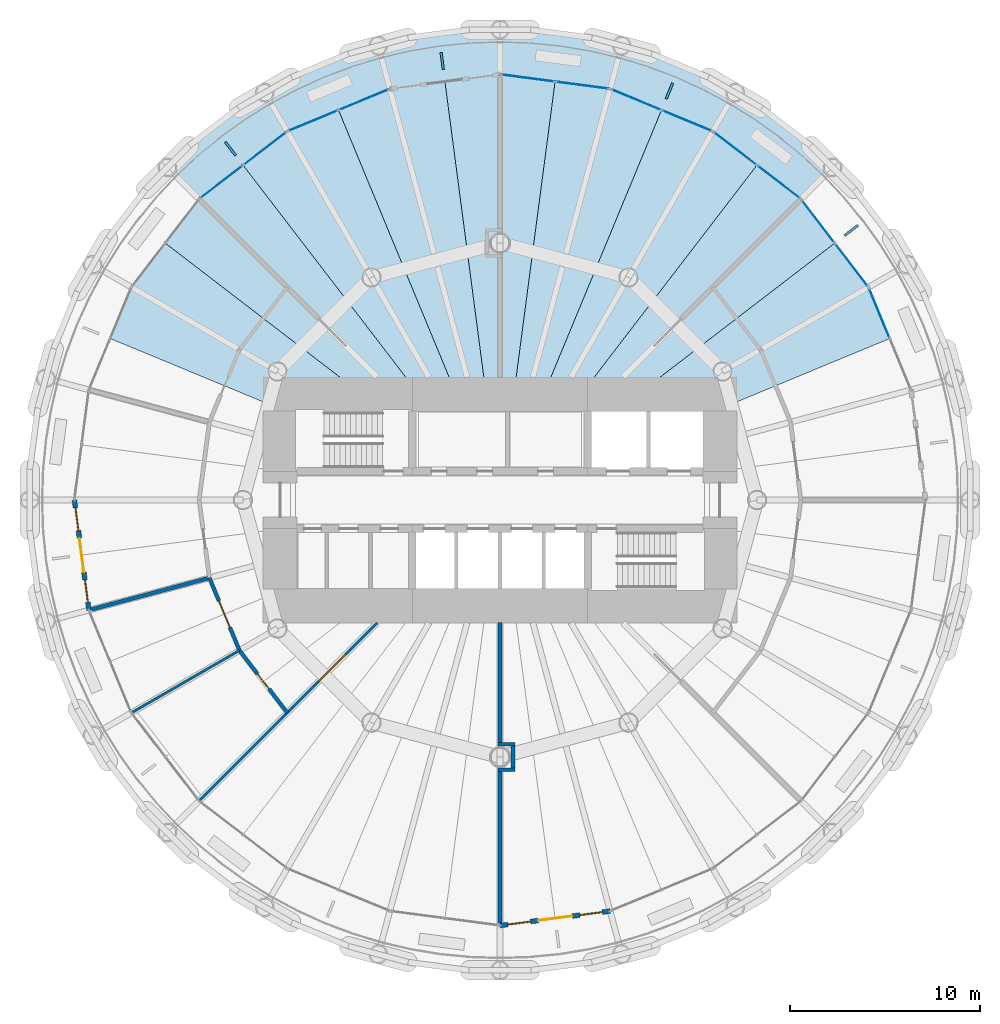
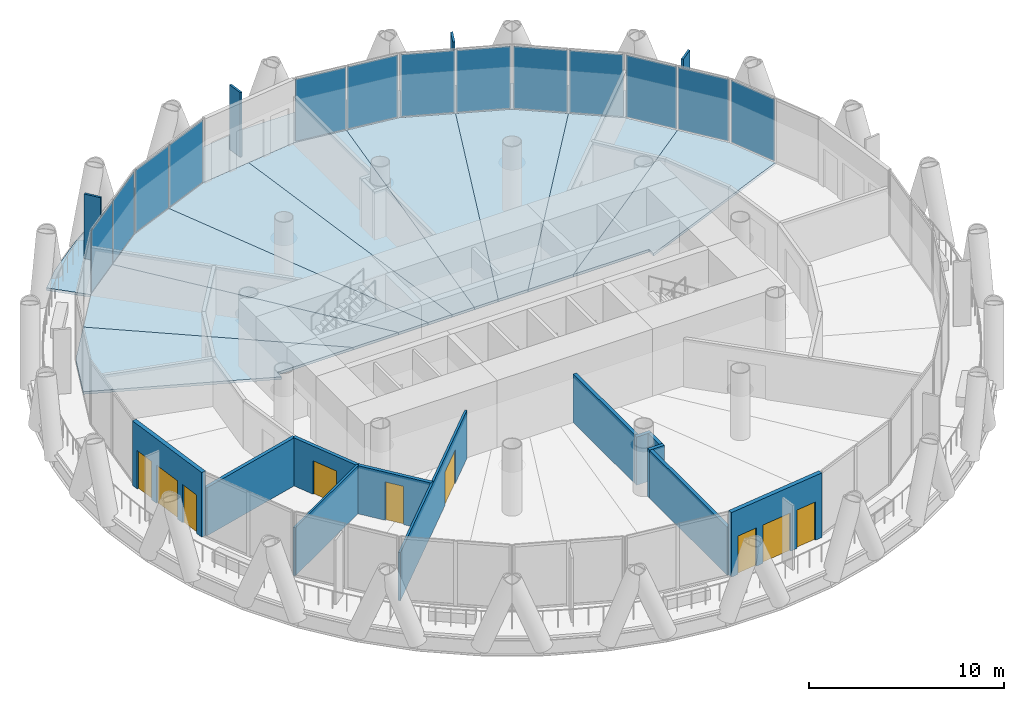
# One storey, part 9 of 15: 17 plates, 12 walls, 10 slabs, 5 doors, 4 windows, 9 openings, 7 elements without a shape of their own.
"""IFC4 building model written with IfcOpenShell, lengths in metres."""

from ifc_helpers import new_model, si_unit, direction, frame, frame_2d, origin, origin_2d, place, context, subcontext, project, spatial, polyline, rectangle, outline, extrude, material, layer, layer_set, type_object, element, fill, aggregate, save


model = new_model("IFC4")

# Units and contexts
model_context = context("Model", 3, precision=1e-05, world=origin(), true_north=direction((0.0, 1.0)))
body_context = subcontext(model_context, "Body", "Model", "MODEL_VIEW")
ifc_project = project(units=[si_unit("LENGTHUNIT", "METRE"), si_unit("AREAUNIT", "SQUARE_METRE"), si_unit("VOLUMEUNIT", "CUBIC_METRE"), si_unit("PLANEANGLEUNIT", "RADIAN"), si_unit("MASSUNIT", "GRAM", prefix="KILO")], contexts=[model_context])

# Site, building, storey
site_placement = place(None, origin())
site = spatial("IfcSite", under=ifc_project, at=site_placement, CompositionType="ELEMENT")
building_placement = place(site_placement, origin())
building = spatial("IfcBuilding", under=site, at=building_placement, Name="Qaws Media Tower", CompositionType="ELEMENT")
storey_placement = place(building_placement, frame((0.0, 0.0, 156.199951171875)))
storey = spatial("IfcBuildingStorey", under=building, at=storey_placement, Name="L35", CompositionType="ELEMENT", Elevation=156.199951171875)

# Slabs
ifc_material_1 = material(Name="Concrete C35/45", Category="concrete")
ifc_layer_1 = layer(ifc_material_1, 0.159912109375)
ifc_layer_set_1 = layer_set([ifc_layer_1], Name="Composite balcony slab 160")
slab_type_1 = type_object("IfcSlabType", Name="Composite balcony slab 160", PredefinedType="FLOOR", material=ifc_layer_set_1)
slab_1_placement = place(storey_placement, frame((0.0, 0.0, -0.159912109375)))
element("IfcSlab", 1, at=slab_1_placement, inside=storey, type_object=slab_type_1, Name="S2 balcony slab L35 R04 to R10, movement joints on R04 and R10", PredefinedType="FLOOR", context=body_context, shape_type="SweptSolid", body=[
    extrude(outline(polyline([(43.68115234375, 68.60791015625), (46.24951171875, 70.578857421875), (49.053466796875, 72.197509765625), (52.04443359375, 73.4365234375), (55.17138671875, 74.2744140625), (58.38134765625, 74.697021484375), (61.61865234375, 74.697021484375), (64.82861328125, 74.2744140625), (67.95556640625, 73.4365234375), (70.946533203125, 72.197509765625), (73.75048828125, 70.578857421875), (76.31884765625, 68.60791015625), (77.46337890625, 67.46337890625), (75.8037109375, 65.8037109375), (71.175048828125, 69.355712890625), (65.78466796875, 71.58837890625), (60.0, 72.35009765625), (54.21533203125, 71.58837890625), (48.824951171875, 69.355712890625), (44.1962890625, 65.8037109375), (42.53662109375, 67.46337890625), (43.68115234375, 68.60791015625)])), origin(), (0.0, 0.0, 1.0), 0.159912109375),
])
ifc_material_2 = material(Name="Concrete C35/45", Category="concrete")
ifc_layer_2 = layer(ifc_material_2, 0.159912109375)
ifc_layer_set_2 = layer_set([ifc_layer_2], Name="Composite floor slab 160")
slab_type_2 = type_object("IfcSlabType", Name="Composite floor slab 160", PredefinedType="FLOOR", material=ifc_layer_set_2)
slab_2_placement = place(storey_placement, frame((0.0, 0.0, -0.159912109375)))
element("IfcSlab", 2, at=slab_2_placement, inside=storey, type_object=slab_type_2, Name="S1 floor panel L35 on R03", PredefinedType="FLOOR", context=body_context, shape_type="SweptSolid", body=[
    extrude(outline(polyline([(79.355712890625, 61.175048828125), (80.47216796875, 58.479736328125), (71.0, 54.556396484375), (71.0, 55.0), (66.51611328125, 55.0), (77.579833984375, 63.489501953125), (79.355712890625, 61.175048828125)])), origin(), (0.0, 0.0, 1.0), 0.159912109375),
])
slab_3_placement = place(storey_placement, frame((0.0, 0.0, -0.159912109375)))
element("IfcSlab", 3, at=slab_3_placement, inside=storey, type_object=slab_type_2, Name="S1 floor panel L35 on R04", PredefinedType="FLOOR", context=body_context, shape_type="SweptSolid", body=[
    extrude(outline(polyline([(75.8037109375, 65.8037109375), (77.579833984375, 63.489501953125), (66.51611328125, 55.0), (63.836669921875, 55.0), (73.489501953125, 67.579833984375), (75.8037109375, 65.8037109375)])), origin(), (0.0, 0.0, 1.0), 0.159912109375),
])
slab_4_placement = place(storey_placement, frame((0.0, 0.0, -0.159912109375)))
element("IfcSlab", 4, at=slab_4_placement, inside=storey, type_object=slab_type_2, Name="S1 floor panel L35 on R05", PredefinedType="FLOOR", context=body_context, shape_type="SweptSolid", body=[
    extrude(outline(polyline([(71.175048828125, 69.355712890625), (73.489501953125, 67.579833984375), (63.836669921875, 55.0), (62.071044921875, 55.0), (68.479736328125, 70.47216796875), (71.175048828125, 69.355712890625)])), origin(), (0.0, 0.0, 1.0), 0.159912109375),
])
slab_5_placement = place(storey_placement, frame((0.0, 0.0, -0.159912109375)))
element("IfcSlab", 5, at=slab_5_placement, inside=storey, type_object=slab_type_2, Name="S1 floor panel L35 on R06", PredefinedType="FLOOR", context=body_context, shape_type="SweptSolid", body=[
    extrude(outline(polyline([(65.78466796875, 71.58837890625), (68.479736328125, 70.47216796875), (62.071044921875, 55.0), (60.658203125, 55.0), (62.892333984375, 71.96923828125), (65.78466796875, 71.58837890625)])), origin(), (0.0, 0.0, 1.0), 0.159912109375),
])
slab_6_placement = place(storey_placement, frame((0.0, 0.0, -0.159912109375)))
element("IfcSlab", 6, at=slab_6_placement, inside=storey, type_object=slab_type_2, Name="S1 floor panel L35 on R07", PredefinedType="FLOOR", context=body_context, shape_type="SweptSolid", body=[
    extrude(outline(polyline([(60.0, 72.35009765625), (62.892333984375, 71.96923828125), (60.658203125, 55.0), (59.341796875, 55.0), (57.107666015625, 71.96923828125), (60.0, 72.35009765625)])), origin(), (0.0, 0.0, 1.0), 0.159912109375),
])
slab_7_placement = place(storey_placement, frame((0.0, 0.0, -0.159912109375)))
element("IfcSlab", 7, at=slab_7_placement, inside=storey, type_object=slab_type_2, Name="S1 floor panel L35 on R08", PredefinedType="FLOOR", context=body_context, shape_type="SweptSolid", body=[
    extrude(outline(polyline([(54.21533203125, 71.58837890625), (57.107666015625, 71.96923828125), (59.341796875, 55.0), (57.928955078125, 55.0), (51.520263671875, 70.47216796875), (54.21533203125, 71.58837890625)])), origin(), (0.0, 0.0, 1.0), 0.159912109375),
])
slab_8_placement = place(storey_placement, frame((0.0, 0.0, -0.159912109375)))
element("IfcSlab", 8, at=slab_8_placement, inside=storey, type_object=slab_type_2, Name="S1 floor panel L35 on R09", PredefinedType="FLOOR", context=body_context, shape_type="SweptSolid", body=[
    extrude(outline(polyline([(48.824951171875, 69.355712890625), (51.520263671875, 70.47216796875), (57.928955078125, 55.0), (56.163330078125, 55.0), (46.510498046875, 67.579833984375), (48.824951171875, 69.355712890625)])), origin(), (0.0, 0.0, 1.0), 0.159912109375),
])
slab_9_placement = place(storey_placement, frame((0.0, 0.0, -0.159912109375)))
element("IfcSlab", 9, at=slab_9_placement, inside=storey, type_object=slab_type_2, Name="S1 floor panel L35 on R10", PredefinedType="FLOOR", context=body_context, shape_type="SweptSolid", body=[
    extrude(outline(polyline([(44.1962890625, 65.8037109375), (46.510498046875, 67.579833984375), (56.163330078125, 55.0), (53.48388671875, 55.0), (42.420166015625, 63.489501953125), (44.1962890625, 65.8037109375)])), origin(), (0.0, 0.0, 1.0), 0.159912109375),
])
slab_10_placement = place(storey_placement, frame((0.0, 0.0, -0.159912109375)))
element("IfcSlab", 10, at=slab_10_placement, inside=storey, type_object=slab_type_2, Name="S1 floor panel L35 on R11", PredefinedType="FLOOR", context=body_context, shape_type="SweptSolid", body=[
    extrude(outline(polyline([(40.644287109375, 61.175048828125), (42.420166015625, 63.489501953125), (53.48388671875, 55.0), (49.0, 55.0), (49.0, 54.556396484375), (39.52783203125, 58.479736328125), (40.644287109375, 61.175048828125)])), origin(), (0.0, 0.0, 1.0), 0.159912109375),
])

# Curtain wall, plate
ifc_material_3 = material(Name="Aluminium and clear glass", Category="aluminium")
curtain_wall_type = type_object("IfcCurtainWallType", Name="Unitised curtain wall CW-B", PredefinedType="NOTDEFINED", material=ifc_material_3)
curtain_wall_1_placement = place(storey_placement, origin())
curtain_wall_1 = element("IfcCurtainWall", 11, at=curtain_wall_1_placement, inside=storey, type_object=curtain_wall_type, Name="CWB curtain wall L35-02", PredefinedType="NOTDEFINED")
ifc_material_4 = material(Name="Clear laminated double glazing", Category="glass")
ifc_layer_3 = layer(ifc_material_4, 0.031982421875)
ifc_layer_set_3 = layer_set([ifc_layer_3], Name="Curtain wall glass unit 32")
plate_type_1 = type_object("IfcPlateType", Name="Curtain wall glass unit 32", PredefinedType="CURTAIN_PANEL", material=ifc_layer_set_3)
plate_1_placement = place(storey_placement, frame((79.921630859375, 59.808837890625, 0.080078125), z_axis=(0.0, 0.0, 1.0), x_axis=(-0.38268338828, 0.923879550772, 0.0)))
plate_1 = element("IfcPlate", 12, at=plate_1_placement, type_object=plate_type_1, Name="CWB panel 2.1", PredefinedType="CURTAIN_PANEL", context=body_context, shape_type="SweptSolid", body=[
    extrude(rectangle(XDim=2.79736328125, YDim=0.031982421875, at=origin_2d()), origin(), (0.0, 0.0, 1.0), 3.8798828125),
])
aggregate(curtain_wall_1, [plate_1])

# Curtain wall, plates
curtain_wall_2_placement = place(storey_placement, origin())
curtain_wall_2 = element("IfcCurtainWall", 13, at=curtain_wall_2_placement, inside=storey, type_object=curtain_wall_type, Name="CWB curtain wall L35-03", PredefinedType="NOTDEFINED")
plate_2_placement = place(storey_placement, frame((78.45556640625, 62.34814453125, 0.080078125), z_axis=(0.0, 0.0, 1.0), x_axis=(-0.608761369344, 0.793353386074, 0.0)))
plate_2 = element("IfcPlate", 14, at=plate_2_placement, type_object=plate_type_1, Name="CWB panel 1.1", PredefinedType="CURTAIN_PANEL", context=body_context, shape_type="SweptSolid", body=[
    extrude(rectangle(XDim=2.79736328125, YDim=0.031982421875, at=origin_2d()), origin(), (0.0, 0.0, 1.0), 3.8798828125),
])
plate_3_placement = place(storey_placement, frame((76.703857421875, 64.630859375, 0.080078125), z_axis=(0.0, 0.0, 1.0), x_axis=(-0.608761369344, 0.793353386074, 0.0)))
plate_3 = element("IfcPlate", 15, at=plate_3_placement, type_object=plate_type_1, Name="CWB panel 2.1", PredefinedType="CURTAIN_PANEL", context=body_context, shape_type="SweptSolid", body=[
    extrude(rectangle(XDim=2.79736328125, YDim=0.031982421875, at=origin_2d()), origin(), (0.0, 0.0, 1.0), 3.8798828125),
])
aggregate(curtain_wall_2, [plate_2, plate_3])

curtain_wall_3_placement = place(storey_placement, origin())
curtain_wall_3 = element("IfcCurtainWall", 16, at=curtain_wall_3_placement, inside=storey, type_object=curtain_wall_type, Name="CWB curtain wall L35-04", PredefinedType="NOTDEFINED")
plate_4_placement = place(storey_placement, frame((74.630859375, 66.703857421875, 0.080078125), z_axis=(0.0, 0.0, 1.0), x_axis=(-0.793353386074, 0.608761369344, 0.0)))
plate_4 = element("IfcPlate", 17, at=plate_4_placement, type_object=plate_type_1, Name="CWB panel 1.1", PredefinedType="CURTAIN_PANEL", context=body_context, shape_type="SweptSolid", body=[
    extrude(rectangle(XDim=2.79736328125, YDim=0.031982421875, at=origin_2d()), origin(), (0.0, 0.0, 1.0), 3.8798828125),
])
plate_5_placement = place(storey_placement, frame((72.34814453125, 68.45556640625, 0.080078125), z_axis=(0.0, 0.0, 1.0), x_axis=(-0.793353386074, 0.608761369344, 0.0)))
plate_5 = element("IfcPlate", 18, at=plate_5_placement, type_object=plate_type_1, Name="CWB panel 2.1", PredefinedType="CURTAIN_PANEL", context=body_context, shape_type="SweptSolid", body=[
    extrude(rectangle(XDim=2.79736328125, YDim=0.031982421875, at=origin_2d()), origin(), (0.0, 0.0, 1.0), 3.8798828125),
])
aggregate(curtain_wall_3, [plate_4, plate_5])

curtain_wall_4_placement = place(storey_placement, origin())
curtain_wall_4 = element("IfcCurtainWall", 19, at=curtain_wall_4_placement, inside=storey, type_object=curtain_wall_type, Name="CWB curtain wall L35-05", PredefinedType="NOTDEFINED")
plate_6_placement = place(storey_placement, frame((69.808837890625, 69.921630859375, 0.080078125), z_axis=(0.0, 0.0, 1.0), x_axis=(-0.923879550772, 0.38268338828, 0.0)))
plate_6 = element("IfcPlate", 20, at=plate_6_placement, type_object=plate_type_1, Name="CWB panel 1.1", PredefinedType="CURTAIN_PANEL", context=body_context, shape_type="SweptSolid", body=[
    extrude(rectangle(XDim=2.79736328125, YDim=0.031982421875, at=origin_2d()), origin(), (0.0, 0.0, 1.0), 3.8798828125),
])
plate_7_placement = place(storey_placement, frame((67.150634765625, 71.022705078125, 0.080078125), z_axis=(0.0, 0.0, 1.0), x_axis=(-0.923879550772, 0.38268338828, 0.0)))
plate_7 = element("IfcPlate", 21, at=plate_7_placement, type_object=plate_type_1, Name="CWB panel 2.1", PredefinedType="CURTAIN_PANEL", context=body_context, shape_type="SweptSolid", body=[
    extrude(rectangle(XDim=2.79736328125, YDim=0.031982421875, at=origin_2d()), origin(), (0.0, 0.0, 1.0), 3.8798828125),
])
aggregate(curtain_wall_4, [plate_6, plate_7])

curtain_wall_5_placement = place(storey_placement, origin())
curtain_wall_5 = element("IfcCurtainWall", 22, at=curtain_wall_5_placement, inside=storey, type_object=curtain_wall_type, Name="CWB curtain wall L35-06", PredefinedType="NOTDEFINED")
plate_8_placement = place(storey_placement, frame((64.318603515625, 71.781494140625, 0.080078125), z_axis=(0.0, 0.0, 1.0), x_axis=(-0.991444857547, 0.130526221291, 0.0)))
plate_8 = element("IfcPlate", 23, at=plate_8_placement, type_object=plate_type_1, Name="CWB panel 1.1", PredefinedType="CURTAIN_PANEL", context=body_context, shape_type="SweptSolid", body=[
    extrude(rectangle(XDim=2.79736328125, YDim=0.031982421875, at=origin_2d()), origin(), (0.0, 0.0, 1.0), 3.8798828125),
])
plate_9_placement = place(storey_placement, frame((61.466064453125, 72.156982421875, 0.080078125), z_axis=(0.0, 0.0, 1.0), x_axis=(-0.991444857547, 0.130526221291, 0.0)))
plate_9 = element("IfcPlate", 24, at=plate_9_placement, type_object=plate_type_1, Name="CWB panel 2.1", PredefinedType="CURTAIN_PANEL", context=body_context, shape_type="SweptSolid", body=[
    extrude(rectangle(XDim=2.79736328125, YDim=0.031982421875, at=origin_2d()), origin(), (0.0, 0.0, 1.0), 3.8798828125),
])
aggregate(curtain_wall_5, [plate_8, plate_9])

curtain_wall_6_placement = place(storey_placement, origin())
curtain_wall_6 = element("IfcCurtainWall", 25, at=curtain_wall_6_placement, inside=storey, type_object=curtain_wall_type, Name="CWB curtain wall L35-08", PredefinedType="NOTDEFINED")
plate_10_placement = place(storey_placement, frame((52.849365234375, 71.022705078125, 0.080078125), z_axis=(0.0, 0.0, 1.0), x_axis=(-0.923879550772, -0.38268338828, 0.0)))
plate_10 = element("IfcPlate", 26, at=plate_10_placement, type_object=plate_type_1, Name="CWB panel 1.1", PredefinedType="CURTAIN_PANEL", context=body_context, shape_type="SweptSolid", body=[
    extrude(rectangle(XDim=2.79736328125, YDim=0.031982421875, at=origin_2d()), origin(), (0.0, 0.0, 1.0), 3.8798828125),
])
plate_11_placement = place(storey_placement, frame((50.191162109375, 69.921630859375, 0.080078125), z_axis=(0.0, 0.0, 1.0), x_axis=(-0.923879550772, -0.38268338828, 0.0)))
plate_11 = element("IfcPlate", 27, at=plate_11_placement, type_object=plate_type_1, Name="CWB panel 2.1", PredefinedType="CURTAIN_PANEL", context=body_context, shape_type="SweptSolid", body=[
    extrude(rectangle(XDim=2.79736328125, YDim=0.031982421875, at=origin_2d()), origin(), (0.0, 0.0, 1.0), 3.8798828125),
])
aggregate(curtain_wall_6, [plate_10, plate_11])

curtain_wall_7_placement = place(storey_placement, origin())
curtain_wall_7 = element("IfcCurtainWall", 28, at=curtain_wall_7_placement, inside=storey, type_object=curtain_wall_type, Name="CWB curtain wall L35-09", PredefinedType="NOTDEFINED")
plate_12_placement = place(storey_placement, frame((47.65185546875, 68.45556640625, 0.080078125), z_axis=(0.0, 0.0, 1.0), x_axis=(-0.793353386074, -0.608761369344, 0.0)))
plate_12 = element("IfcPlate", 29, at=plate_12_placement, type_object=plate_type_1, Name="CWB panel 1.1", PredefinedType="CURTAIN_PANEL", context=body_context, shape_type="SweptSolid", body=[
    extrude(rectangle(XDim=2.79736328125, YDim=0.031982421875, at=origin_2d()), origin(), (0.0, 0.0, 1.0), 3.8798828125),
])
plate_13_placement = place(storey_placement, frame((45.369140625, 66.703857421875, 0.080078125), z_axis=(0.0, 0.0, 1.0), x_axis=(-0.793353386074, -0.608761369344, 0.0)))
plate_13 = element("IfcPlate", 30, at=plate_13_placement, type_object=plate_type_1, Name="CWB panel 2.1", PredefinedType="CURTAIN_PANEL", context=body_context, shape_type="SweptSolid", body=[
    extrude(rectangle(XDim=2.79736328125, YDim=0.031982421875, at=origin_2d()), origin(), (0.0, 0.0, 1.0), 3.8798828125),
])
aggregate(curtain_wall_7, [plate_12, plate_13])

# Plates
ifc_material_5 = material(Name="Precast concrete screen fin", Category="concrete")
ifc_layer_4 = layer(ifc_material_5, 0.1201171875)
ifc_layer_set_4 = layer_set([ifc_layer_4], Name="Screen fin 120x900")
plate_type_2 = type_object("IfcPlateType", Name="Screen fin 120x900", PredefinedType="USERDEFINED", material=ifc_layer_set_4)
for number, where, z_axis, x_axis, name in (
    (31, (78.445556640625, 64.15380859375, 0.0), (0.0, 0.0, 1.0), (0.793353340291, 0.608761429009, 0.0), "SCR1 screen fin L35-02"),
    (32, (68.8974609375, 71.480224609375, 0.0), (0.0, 0.0, 1.0), (0.382683432365, 0.923879532511, 0.0), "SCR1 screen fin L35-03"),
    (33, (56.96533203125, 73.051025390625, 0.0), (0.0, 0.0, 1.0), (-0.13052619222, 0.991444861374, 0.0), "SCR1 screen fin L35-04"),
    (34, (45.84619140625, 68.445556640625, 0.0), (0.0, 0.0, 1.0), (-0.608761429009, 0.793353340291, 0.0), "SCR1 screen fin L35-05"),
):
    element("IfcPlate", number, at=place(storey_placement, frame(where, z_axis=z_axis, x_axis=x_axis)), inside=storey, type_object=plate_type_2, Name=name, ObjectType="SCREEN", PredefinedType="USERDEFINED", context=body_context, shape_type="SweptSolid", body=[
        extrude(rectangle(XDim=0.89990234375, YDim=0.1201171875, at=origin_2d()), origin(), (0.0, 0.0, 1.0), 4.0400390625),
    ])

# Wall, openings, door, windows
ifc_material_6 = material(Name="Precast concrete, exposed finish", Category="concrete")
ifc_layer_5 = layer(ifc_material_6, 0.25)
ifc_layer_set_5 = layer_set([ifc_layer_5], Name="Balcony door wall 250")
wall_type_1 = type_object("IfcWallType", Name="Balcony door wall 250", PredefinedType="SOLIDWALL", material=ifc_layer_set_5)
wall_1_placement = place(storey_placement, frame((37.64990234375, 50.0, 0.0), z_axis=(0.0, 0.0, 1.0), x_axis=(0.130551928551, -0.991441472782, 0.0)))
wall_1 = element("IfcWall", 35, at=wall_1_placement, inside=storey, type_object=wall_type_1, Name="W202 EW1 balcony door wall L35-13", PredefinedType="SOLIDWALL", context=body_context, shape_type="SweptSolid", body=[
    extrude(rectangle(XDim=5.834716796875, YDim=0.25, at=frame_2d((2.91748046875, 0.0))), origin(), (0.0, 0.0, 1.0), 4.0400390625),
])
opening_1_placement = place(wall_1_placement, frame((2.017333984375, 0.0, 0.0)))
opening_1 = element("IfcOpeningElement", 36, at=opening_1_placement, cuts=wall_1, Name="Opening D7", PredefinedType="OPENING", context=body_context, shape_type="SweptSolid", body=[
    extrude(rectangle(XDim=1.800048828125, YDim=2.39990234375, at=frame_2d((0.89990234375, 1.199951171875))), frame((0.0, 0.135009765625, 0.0), z_axis=(0.0, -1.0, 0.0), x_axis=(1.0, 0.0, 0.0)), (0.0, 0.0, 1.0), 0.27001953125),
])
opening_2_placement = place(wall_1_placement, frame((0.417236328125, 0.0, 0.0)))
opening_2 = element("IfcOpeningElement", 37, at=opening_2_placement, cuts=wall_1, Name="Opening W1", PredefinedType="OPENING", context=body_context, shape_type="SweptSolid", body=[
    extrude(rectangle(XDim=1.199951171875, YDim=2.39990234375, at=frame_2d((0.60009765625, 1.199951171875))), frame((0.0, 0.135009765625, 0.0), z_axis=(0.0, -1.0, 0.0), x_axis=(1.0, 0.0, 0.0)), (0.0, 0.0, 1.0), 0.27001953125),
])
opening_3_placement = place(wall_1_placement, frame((4.21728515625, 0.0, 0.0)))
opening_3 = element("IfcOpeningElement", 38, at=opening_3_placement, cuts=wall_1, Name="Opening W1", PredefinedType="OPENING", context=body_context, shape_type="SweptSolid", body=[
    extrude(rectangle(XDim=1.199951171875, YDim=2.39990234375, at=frame_2d((0.60009765625, 1.199951171875))), frame((0.0, 0.135009765625, 0.0), z_axis=(0.0, -1.0, 0.0), x_axis=(1.0, 0.0, 0.0)), (0.0, 0.0, 1.0), 0.27001953125),
])
ifc_material_7 = material(Name="Aluminium and clear glass", Category="aluminium")
door_type_1 = type_object("IfcDoorType", Name="Balcony door pair 1800", OperationType="DOUBLE_DOOR_SLIDING", PredefinedType="DOOR", material=ifc_material_7)
door_1_placement = place(opening_1_placement, origin())
door_1 = element("IfcDoor", 39, at=door_1_placement, inside=storey, type_object=door_type_1, Name="D7 balcony door L35-13 in wall W202", OperationType="DOUBLE_DOOR_SLIDING", OverallHeight=2.39990234375, OverallWidth=1.800048828125, PredefinedType="DOOR", context=body_context, shape_type="SweptSolid", body=[
    extrude(rectangle(XDim=1.800048828125, YDim=2.39990234375, at=frame_2d((0.89990234375, 1.199951171875))), frame((0.0, 0.02490234375, 0.0), z_axis=(0.0, -1.0, 0.0), x_axis=(1.0, 0.0, 0.0)), (0.0, 0.0, 1.0), 0.050048828125),
])
fill(opening_1, door_1)
ifc_material_8 = material(Name="Aluminium and clear glass", Category="aluminium")
window_type = type_object("IfcWindowType", Name="Balcony side window 1200", PartitioningType="SINGLE_PANEL", PredefinedType="WINDOW", material=ifc_material_8)
window_1_placement = place(opening_2_placement, origin())
window_1 = element("IfcWindow", 40, at=window_1_placement, inside=storey, type_object=window_type, Name="W1 balcony side light L35-13L", OverallHeight=2.39990234375, OverallWidth=1.199951171875, PartitioningType="SINGLE_PANEL", PredefinedType="WINDOW", context=body_context, shape_type="SweptSolid", body=[
    extrude(rectangle(XDim=1.199951171875, YDim=2.39990234375, at=frame_2d((0.60009765625, 1.199951171875))), frame((0.0, 0.030029296875, 0.0), z_axis=(0.0, -1.0, 0.0), x_axis=(1.0, 0.0, 0.0)), (0.0, 0.0, 1.0), 0.06005859375),
])
fill(opening_2, window_1)
window_2_placement = place(opening_3_placement, origin())
window_2 = element("IfcWindow", 41, at=window_2_placement, inside=storey, type_object=window_type, Name="W1 balcony side light L35-13R", OverallHeight=2.39990234375, OverallWidth=1.199951171875, PartitioningType="SINGLE_PANEL", PredefinedType="WINDOW", context=body_context, shape_type="SweptSolid", body=[
    extrude(rectangle(XDim=1.199951171875, YDim=2.39990234375, at=frame_2d((0.60009765625, 1.199951171875))), frame((0.0, 0.030029296875, 0.0), z_axis=(0.0, -1.0, 0.0), x_axis=(1.0, 0.0, 0.0)), (0.0, 0.0, 1.0), 0.06005859375),
])
fill(opening_3, window_2)

wall_2_placement = place(storey_placement, frame((60.0, 27.64990234375, 0.0), z_axis=(0.0, 0.0, 1.0), x_axis=(0.991441472782, 0.130551928551, 0.0)))
wall_2 = element("IfcWall", 42, at=wall_2_placement, inside=storey, type_object=wall_type_1, Name="W203 EW1 balcony door wall L35-19", PredefinedType="SOLIDWALL", context=body_context, shape_type="SweptSolid", body=[
    extrude(rectangle(XDim=5.834716796875, YDim=0.25, at=frame_2d((2.91748046875, 0.0))), origin(), (0.0, 0.0, 1.0), 4.0400390625),
])
opening_4_placement = place(wall_2_placement, frame((2.017333984375, 0.0, 0.0)))
opening_4 = element("IfcOpeningElement", 43, at=opening_4_placement, cuts=wall_2, Name="Opening D7", PredefinedType="OPENING", context=body_context, shape_type="SweptSolid", body=[
    extrude(rectangle(XDim=1.800048828125, YDim=2.39990234375, at=frame_2d((0.89990234375, 1.199951171875))), frame((0.0, 0.135009765625, 0.0), z_axis=(0.0, -1.0, 0.0), x_axis=(1.0, 0.0, 0.0)), (0.0, 0.0, 1.0), 0.27001953125),
])
opening_5_placement = place(wall_2_placement, frame((0.417236328125, 0.0, 0.0)))
opening_5 = element("IfcOpeningElement", 44, at=opening_5_placement, cuts=wall_2, Name="Opening W1", PredefinedType="OPENING", context=body_context, shape_type="SweptSolid", body=[
    extrude(rectangle(XDim=1.199951171875, YDim=2.39990234375, at=frame_2d((0.60009765625, 1.199951171875))), frame((0.0, 0.135009765625, 0.0), z_axis=(0.0, -1.0, 0.0), x_axis=(1.0, 0.0, 0.0)), (0.0, 0.0, 1.0), 0.27001953125),
])
opening_6_placement = place(wall_2_placement, frame((4.21728515625, 0.0, 0.0)))
opening_6 = element("IfcOpeningElement", 45, at=opening_6_placement, cuts=wall_2, Name="Opening W1", PredefinedType="OPENING", context=body_context, shape_type="SweptSolid", body=[
    extrude(rectangle(XDim=1.199951171875, YDim=2.39990234375, at=frame_2d((0.60009765625, 1.199951171875))), frame((0.0, 0.135009765625, 0.0), z_axis=(0.0, -1.0, 0.0), x_axis=(1.0, 0.0, 0.0)), (0.0, 0.0, 1.0), 0.27001953125),
])
door_2_placement = place(opening_4_placement, origin())
door_2 = element("IfcDoor", 46, at=door_2_placement, inside=storey, type_object=door_type_1, Name="D7 balcony door L35-19 in wall W203", OperationType="DOUBLE_DOOR_SLIDING", OverallHeight=2.39990234375, OverallWidth=1.800048828125, PredefinedType="DOOR", context=body_context, shape_type="SweptSolid", body=[
    extrude(rectangle(XDim=1.800048828125, YDim=2.39990234375, at=frame_2d((0.89990234375, 1.199951171875))), frame((0.0, 0.02490234375, 0.0), z_axis=(0.0, -1.0, 0.0), x_axis=(1.0, 0.0, 0.0)), (0.0, 0.0, 1.0), 0.050048828125),
])
fill(opening_4, door_2)
window_3_placement = place(opening_5_placement, origin())
window_3 = element("IfcWindow", 47, at=window_3_placement, inside=storey, type_object=window_type, Name="W1 balcony side light L35-19L", OverallHeight=2.39990234375, OverallWidth=1.199951171875, PartitioningType="SINGLE_PANEL", PredefinedType="WINDOW", context=body_context, shape_type="SweptSolid", body=[
    extrude(rectangle(XDim=1.199951171875, YDim=2.39990234375, at=frame_2d((0.60009765625, 1.199951171875))), frame((0.0, 0.030029296875, 0.0), z_axis=(0.0, -1.0, 0.0), x_axis=(1.0, 0.0, 0.0)), (0.0, 0.0, 1.0), 0.06005859375),
])
fill(opening_5, window_3)
window_4_placement = place(opening_6_placement, origin())
window_4 = element("IfcWindow", 48, at=window_4_placement, inside=storey, type_object=window_type, Name="W1 balcony side light L35-19R", OverallHeight=2.39990234375, OverallWidth=1.199951171875, PartitioningType="SINGLE_PANEL", PredefinedType="WINDOW", context=body_context, shape_type="SweptSolid", body=[
    extrude(rectangle(XDim=1.199951171875, YDim=2.39990234375, at=frame_2d((0.60009765625, 1.199951171875))), frame((0.0, 0.030029296875, 0.0), z_axis=(0.0, -1.0, 0.0), x_axis=(1.0, 0.0, 0.0)), (0.0, 0.0, 1.0), 0.06005859375),
])
fill(opening_6, window_4)

# Wall
ifc_material_9 = material(Name="Two layers gypsum board each side on 75 studs, insulated", Category="gypsum")
ifc_layer_6 = layer(ifc_material_9, 0.125)
ifc_layer_set_6 = layer_set([ifc_layer_6], Name="Meeting room partition 125 Rw 48")
wall_type_2 = type_object("IfcWallType", Name="Meeting room partition 125 Rw 48", PredefinedType="PARTITIONING", material=ifc_layer_set_6)
wall_3_placement = place(storey_placement, frame((46.31689453125, 42.10009765625, 0.0), z_axis=(0.0, 0.0, 1.0), x_axis=(-0.86602134031, -0.500007038079, 0.0)))
element("IfcWall", 49, at=wall_3_placement, inside=storey, type_object=wall_type_2, Name="W564 IW5 partition L35", PredefinedType="PARTITIONING", context=body_context, shape_type="SweptSolid", body=[
    extrude(rectangle(XDim=6.51025390625, YDim=0.125, at=frame_2d((3.255126953125, 0.0))), origin(), (0.0, 0.0, 1.0), 3.011962890625),
])

# Wall, opening, door
wall_4_placement = place(storey_placement, frame((53.550048828125, 43.550048828125, 0.0), z_axis=(0.0, 0.0, 1.0), x_axis=(-0.707106781187, -0.707106781187, 0.0)))
wall_4 = element("IfcWall", 50, at=wall_4_placement, inside=storey, type_object=wall_type_2, Name="W565 IW5 partition L35", PredefinedType="PARTITIONING", context=body_context, shape_type="SweptSolid", body=[
    extrude(rectangle(XDim=13.1884765625, YDim=0.125, at=frame_2d((6.59423828125, 0.0))), origin(), (0.0, 0.0, 1.0), 3.011962890625),
])
opening_7_placement = place(wall_4_placement, frame((2.339111328125, 0.0, 0.0)))
opening_7 = element("IfcOpeningElement", 51, at=opening_7_placement, cuts=wall_4, Name="Opening D6", PredefinedType="OPENING", context=body_context, shape_type="SweptSolid", body=[
    extrude(rectangle(XDim=2.0, YDim=2.10009765625, at=frame_2d((1.0, 1.050048828125))), frame((0.0, 0.072509765625, 0.0), z_axis=(0.0, -1.0, 0.0), x_axis=(1.0, 0.0, 0.0)), (0.0, 0.0, 1.0), 0.14501953125),
])
ifc_material_10 = material(Name="Steel, acoustic, fire rated", Category="steel")
door_type_2 = type_object("IfcDoorType", Name="Room door pair 2000", OperationType="DOUBLE_DOOR_DOUBLE_SWING", PredefinedType="DOOR", material=ifc_material_10)
door_3_placement = place(opening_7_placement, origin())
door_3 = element("IfcDoor", 52, at=door_3_placement, inside=storey, type_object=door_type_2, Name="D6 IT project office door L35 in wall W565", OperationType="DOUBLE_DOOR_DOUBLE_SWING", OverallHeight=2.10009765625, OverallWidth=2.0, PredefinedType="DOOR", context=body_context, shape_type="SweptSolid", body=[
    extrude(rectangle(XDim=2.0, YDim=2.10009765625, at=frame_2d((1.0, 1.050048828125))), frame((0.0, 0.02490234375, 0.0), z_axis=(0.0, -1.0, 0.0), x_axis=(1.0, 0.0, 0.0)), (0.0, 0.0, 1.0), 0.050048828125),
])
fill(opening_7, door_3)

ifc_material_11 = material(Name="Gypsum board on galvanised metal studs, acoustic double stud, deflection head", Category="gypsum")
ifc_layer_7 = layer(ifc_material_11, 0.199951171875)
ifc_layer_set_7 = layer_set([ifc_layer_7], Name="Room partition 200")
wall_type_3 = type_object("IfcWallType", Name="Room partition 200", PredefinedType="PARTITIONING", material=ifc_layer_set_7)
wall_5_placement = place(storey_placement, frame((48.82763671875, 38.82763671875, 0.0), z_axis=(0.0, 0.0, 1.0), x_axis=(-0.608714823874, 0.793389099494, 0.0)))
wall_5 = element("IfcWall", 53, at=wall_5_placement, inside=storey, type_object=wall_type_3, Name="W1341 IW3 partition L35", PredefinedType="PARTITIONING", context=body_context, shape_type="SweptSolid", body=[
    extrude(rectangle(XDim=4.124755859375, YDim=0.199951171875, at=frame_2d((2.0625, 0.0))), origin(), (0.0, 0.0, 1.0), 3.011962890625),
])
opening_8_placement = place(wall_5_placement, frame((1.562255859375, 0.0, 0.0)))
opening_8 = element("IfcOpeningElement", 54, at=opening_8_placement, cuts=wall_5, Name="Opening D13", PredefinedType="OPENING", context=body_context, shape_type="SweptSolid", body=[
    extrude(rectangle(XDim=1.0, YDim=2.39990234375, at=frame_2d((0.5, 1.199951171875))), frame((0.0, 0.10986328125, 0.0), z_axis=(0.0, -1.0, 0.0), x_axis=(1.0, 0.0, 0.0)), (0.0, 0.0, 1.0), 0.219970703125),
])
ifc_material_12 = material(Name="Frameless toughened glass, acoustic seals", Category="glass")
door_type_3 = type_object("IfcDoorType", Name="Glazed meeting room door 1000x2400", OperationType="SINGLE_SWING_LEFT", PredefinedType="DOOR", material=ifc_material_12)
door_4_placement = place(opening_8_placement, origin())
door_4 = element("IfcDoor", 55, at=door_4_placement, inside=storey, type_object=door_type_3, Name="D13 Meeting room door L35 in wall W1341", OperationType="SINGLE_SWING_LEFT", OverallHeight=2.39990234375, OverallWidth=1.0, PredefinedType="DOOR", context=body_context, shape_type="SweptSolid", body=[
    extrude(rectangle(XDim=1.0, YDim=2.39990234375, at=frame_2d((0.5, 1.199951171875))), frame((0.0, 0.02490234375, 0.0), z_axis=(0.0, -1.0, 0.0), x_axis=(1.0, 0.0, 0.0)), (0.0, 0.0, 1.0), 0.050048828125),
])
fill(opening_8, door_4)

wall_6_placement = place(storey_placement, frame((46.31689453125, 42.10009765625, 0.0), z_axis=(0.0, 0.0, 1.0), x_axis=(-0.382731667114, 0.923859551549, 0.0)))
wall_6 = element("IfcWall", 56, at=wall_6_placement, inside=storey, type_object=wall_type_3, Name="W1339 IW3 partition L35", PredefinedType="PARTITIONING", context=body_context, shape_type="SweptSolid", body=[
    extrude(rectangle(XDim=4.12451171875, YDim=0.199951171875, at=frame_2d((2.062255859375, 0.0))), origin(), (0.0, 0.0, 1.0), 3.011962890625),
])
opening_9_placement = place(wall_6_placement, frame((1.312255859375, 0.0, 0.0)))
opening_9 = element("IfcOpeningElement", 57, at=opening_9_placement, cuts=wall_6, Name="Opening D18", PredefinedType="OPENING", context=body_context, shape_type="SweptSolid", body=[
    extrude(rectangle(XDim=1.5, YDim=2.10009765625, at=frame_2d((0.75, 1.050048828125))), frame((0.0, 0.10986328125, 0.0), z_axis=(0.0, -1.0, 0.0), x_axis=(1.0, 0.0, 0.0)), (0.0, 0.0, 1.0), 0.219970703125),
])
ifc_material_13 = material(Name="Steel, fire rated, unequal leaves", Category="steel")
door_type_4 = type_object("IfcDoorType", Name="Comms room door pair 1500x2100", OperationType="DOUBLE_DOOR_DOUBLE_SWING", PredefinedType="DOOR", material=ifc_material_13)
door_5_placement = place(opening_9_placement, origin())
door_5 = element("IfcDoor", 58, at=door_5_placement, inside=storey, type_object=door_type_4, Name="D18 Comms room door L35 in wall W1339", OperationType="DOUBLE_DOOR_DOUBLE_SWING", OverallHeight=2.10009765625, OverallWidth=1.5, PredefinedType="DOOR", context=body_context, shape_type="SweptSolid", body=[
    extrude(rectangle(XDim=1.5, YDim=2.10009765625, at=frame_2d((0.75, 1.050048828125))), frame((0.0, 0.02490234375, 0.0), z_axis=(0.0, -1.0, 0.0), x_axis=(1.0, 0.0, 0.0)), (0.0, 0.0, 1.0), 0.050048828125),
])
fill(opening_9, door_5)

# Walls
wall_7_placement = place(storey_placement, frame((44.73828125, 45.91064453125, 0.0), z_axis=(0.0, 0.0, 1.0), x_axis=(-0.965927649949, -0.258812239014, 0.0)))
element("IfcWall", 59, at=wall_7_placement, inside=storey, type_object=wall_type_3, Name="W1335 IW3 partition L35", PredefinedType="PARTITIONING", context=body_context, shape_type="SweptSolid", body=[
    extrude(rectangle(XDim=6.409912109375, YDim=0.199951171875, at=frame_2d((3.205078125, 0.0))), origin(), (0.0, 0.0, 1.0), 3.011962890625),
])
for number, where, z_axis, x_axis, name in (
    (60, (59.89990234375, 37.16796875, 0.0), (0.0, 0.0, 1.0), (1.0, 0.0, 0.0), "W1345 IW3 partition return L35"),
    (61, (59.89990234375, 35.83203125, 0.0), (0.0, 0.0, 1.0), (1.0, 0.0, 0.0), "W1344 IW3 partition return L35"),
):
    element("IfcWall", number, at=place(storey_placement, frame(where, z_axis=z_axis, x_axis=x_axis)), inside=storey, type_object=wall_type_3, Name=name, PredefinedType="PARTITIONING", context=body_context, shape_type="SweptSolid", body=[
        extrude(rectangle(XDim=0.878173828125, YDim=0.199951171875, at=frame_2d((0.43896484375, 0.0))), origin(), (0.0, 0.0, 1.0), 3.011962890625),
    ])
wall_8_placement = place(storey_placement, frame((60.677978515625, 37.068115234375, 0.0), z_axis=(0.0, 0.0, 1.0), x_axis=(0.0, -1.0, 0.0)))
element("IfcWall", 62, at=wall_8_placement, inside=storey, type_object=wall_type_3, Name="W1350 IW3 partition return L35", PredefinedType="PARTITIONING", context=body_context, shape_type="SweptSolid", body=[
    extrude(rectangle(XDim=1.13623046875, YDim=0.199951171875, at=frame_2d((0.568115234375, 0.0))), origin(), (0.0, 0.0, 1.0), 3.011962890625),
])
wall_9_placement = place(storey_placement, frame((60.0, 43.56005859375, 0.0), z_axis=(0.0, 0.0, 1.0), x_axis=(0.0, -1.0, 0.0)))
element("IfcWall", 63, at=wall_9_placement, inside=storey, type_object=wall_type_3, Name="W1288 IW3 partition L35", PredefinedType="PARTITIONING", context=body_context, shape_type="SweptSolid", body=[
    extrude(rectangle(XDim=6.2919921875, YDim=0.199951171875, at=frame_2d((3.14599609375, 0.0))), origin(), (0.0, 0.0, 1.0), 3.0400390625),
])
wall_10_placement = place(storey_placement, frame((60.0, 35.73193359375, 0.0), z_axis=(0.0, 0.0, 1.0), x_axis=(0.0, -1.0, 0.0)))
element("IfcWall", 64, at=wall_10_placement, inside=storey, type_object=wall_type_3, Name="W1346 IW3 partition L35", PredefinedType="PARTITIONING", context=body_context, shape_type="SweptSolid", body=[
    extrude(rectangle(XDim=7.94189453125, YDim=0.199951171875, at=frame_2d((3.970947265625, 0.0))), origin(), (0.0, 0.0, 1.0), 3.011962890625),
])

save(model, "model.ifc")
